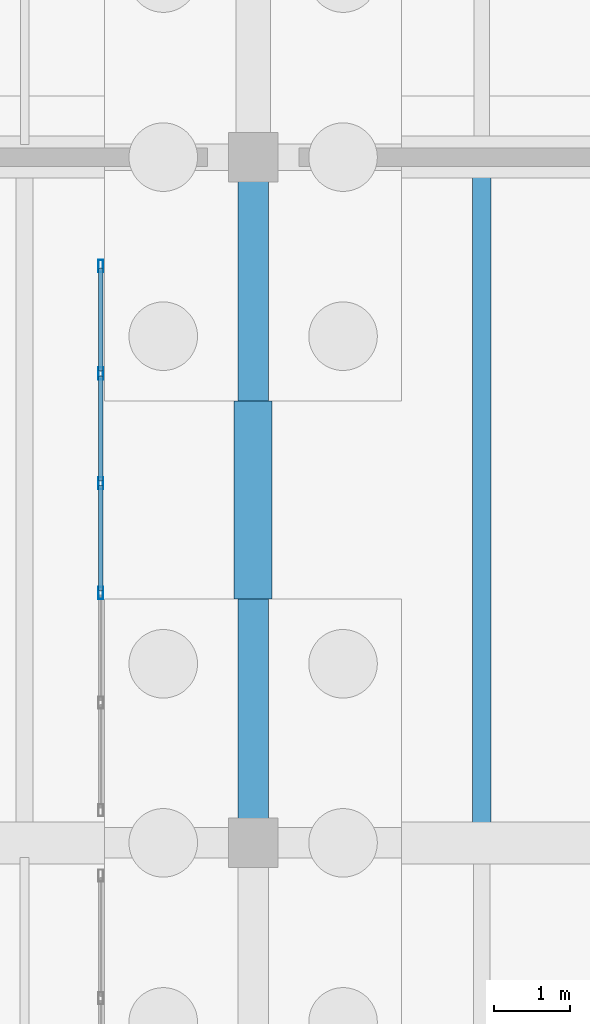
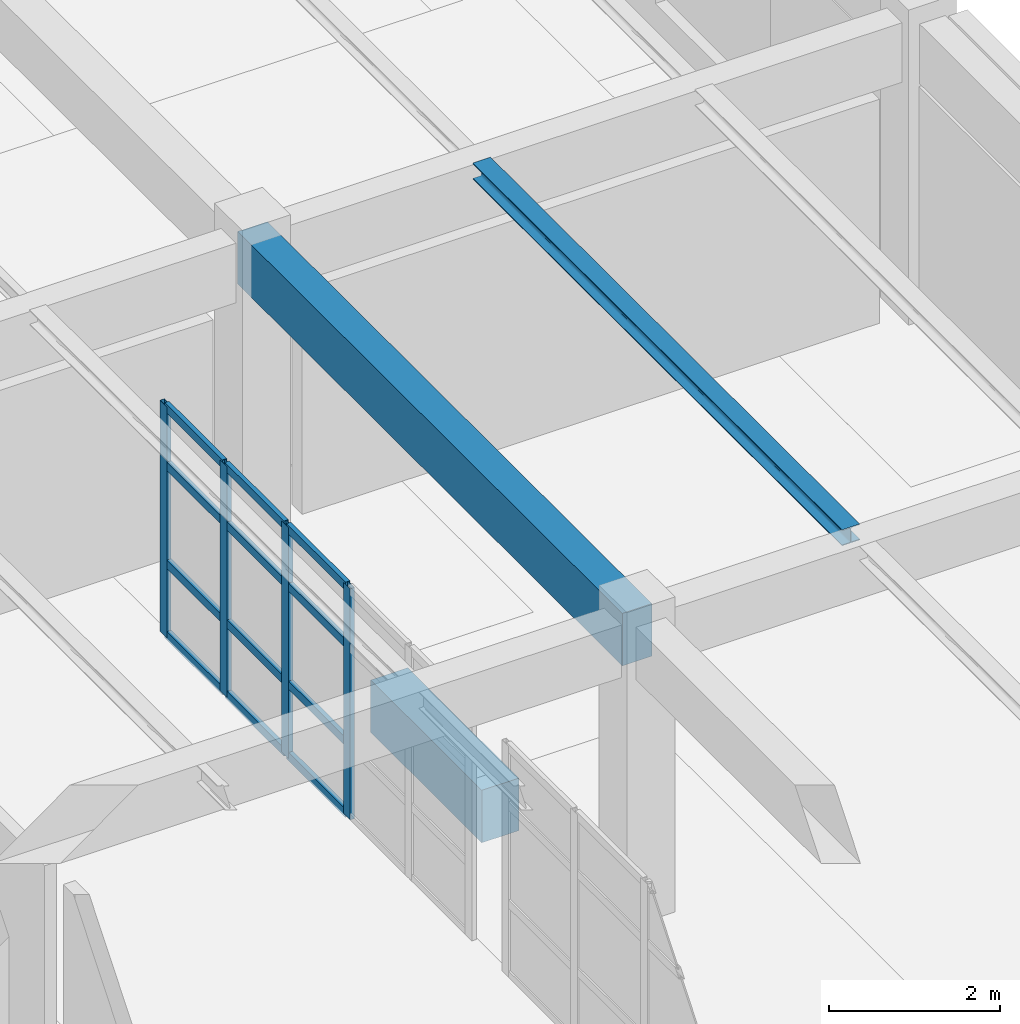
# One storey, part 121 of 186: 16 members, 3 beams, 1 element without a shape of its own.
"""IFC4 building model written with IfcOpenShell, lengths in metres."""

from ifc_helpers import new_model, si_unit, direction, frame, origin, origin_2d, place, context, subcontext, project, spatial, rectangle, hollow_rectangle, i_section, extrude, material, layer, layer_set, material_profile, profile_set, type_object, element, aggregate, save


model = new_model("IFC4")

# Units and contexts
model_context = context("Model", 3, precision=1e-05, world=origin(), true_north=direction((0.0, 1.0)))
body_context = subcontext(model_context, "Body", "Model", "MODEL_VIEW")
ifc_project = project(units=[si_unit("LENGTHUNIT", "METRE"), si_unit("AREAUNIT", "SQUARE_METRE"), si_unit("VOLUMEUNIT", "CUBIC_METRE"), si_unit("PLANEANGLEUNIT", "RADIAN"), si_unit("MASSUNIT", "GRAM", prefix="KILO")], contexts=[model_context])

# Site, building, storey
site_placement = place(None, origin())
site = spatial("IfcSite", under=ifc_project, at=site_placement, CompositionType="ELEMENT")
building_placement = place(site_placement, origin())
building = spatial("IfcBuilding", under=site, at=building_placement, Name="Ornek Quay Market", CompositionType="ELEMENT")
storey_placement = place(building_placement, origin())
storey = spatial("IfcBuildingStorey", under=building, at=storey_placement, Name="L00", CompositionType="ELEMENT", Elevation=0.0)

# Beams
ifc_material_1 = material(Name="Concrete C35/45", Category="concrete")
ifc_material_profile_1 = material_profile(ifc_material_1, rectangle(XDim=0.39990234375, YDim=0.75, at=origin_2d()), Name="RC 400x750", Category="concrete")
ifc_profile_set_1 = profile_set([ifc_material_profile_1], Name="Concrete C35/45")
beam_type_1 = type_object("IfcBeamType", Name="BM-CS-400x750", PredefinedType="BEAM", material=ifc_profile_set_1)
beam_1_placement = place(storey_placement, frame((171.0, 56.0, 3.875), z_axis=(0.0, 1.0, 0.0), x_axis=(-1.0, 0.0, 0.0)))
element("IfcBeam", 1, at=beam_1_placement, inside=storey, type_object=beam_type_1, Name="Primary beam B-CS1-027", PredefinedType="BEAM", context=body_context, shape_type="SweptSolid", body=[
    extrude(rectangle(XDim=0.39990234375, YDim=0.75, at=origin_2d()), origin(), (0.0, 0.0, 1.0), 9.0),
])
ifc_material_profile_2 = material_profile(ifc_material_1, rectangle(XDim=0.5, YDim=0.75, at=origin_2d()), Name="RC 500x750", Category="concrete")
ifc_profile_set_2 = profile_set([ifc_material_profile_2], Name="Concrete C35/45")
beam_type_2 = type_object("IfcBeamType", Name="BM-GB-500x750", PredefinedType="BEAM", material=ifc_profile_set_2)
beam_2_placement = place(storey_placement, frame((171.0, 59.199951171875, -0.574951171875), z_axis=(0.0, 1.0, 0.0), x_axis=(-1.0, 0.0, 0.0)))
element("IfcBeam", 2, at=beam_2_placement, inside=storey, type_object=beam_type_2, Name="Ground tie beam GB-415", PredefinedType="BEAM", context=body_context, shape_type="SweptSolid", body=[
    extrude(rectangle(XDim=0.5, YDim=0.75, at=origin_2d()), origin(), (0.0, 0.0, 1.0), 2.60009765625),
])
ifc_material_2 = material(Name="Steel S355", Category="steel")
ifc_material_profile_3 = material_profile(ifc_material_2, i_section(OverallWidth=0.239990234375, OverallDepth=0.22998046875, WebThickness=0.007568359375, FlangeThickness=0.011962890625, FilletRadius=0.02099609375, at=origin_2d()), Name="HEA 240", Category="steel")
ifc_profile_set_3 = profile_set([ifc_material_profile_3], Name="Steel S355")
beam_type_3 = type_object("IfcBeamType", Name="BM-STL-HEA240", PredefinedType="BEAM", material=ifc_profile_set_3)
beam_3_placement = place(storey_placement, frame((174.0, 56.19189453125, 4.135009765625), z_axis=(0.0, 1.0, 0.0), x_axis=(-1.0, 0.0, 0.0)))
element("IfcBeam", 3, at=beam_3_placement, inside=storey, type_object=beam_type_3, Name="Secondary joist SB-14-021", PredefinedType="BEAM", context=body_context, shape_type="SweptSolid", body=[
    extrude(i_section(OverallWidth=0.239990234375, OverallDepth=0.22998046875, WebThickness=0.007568359375, FlangeThickness=0.011962890625, FilletRadius=0.02099609375, at=origin_2d()), origin(), (0.0, 0.0, 1.0), 8.64111328125),
])

# Curtain wall, members
ifc_material_3 = material(Name="Anodised bronze aluminium and triple low-e glass", Category="aluminium")
ifc_layer = layer(ifc_material_3, 0.139892578125, Name="Anodised bronze aluminium and triple low-e glass", Category="aluminium")
ifc_layer_set = layer_set([ifc_layer], Name="Anodised bronze aluminium and triple low-e glass")
curtain_wall_type = type_object("IfcCurtainWallType", Name="CW-GALLERY-INT", PredefinedType="USERDEFINED", material=ifc_layer_set)
curtain_wall_placement = place(storey_placement, origin())
curtain_wall = element("IfcCurtainWall", 4, at=curtain_wall_placement, inside=storey, type_object=curtain_wall_type, Name="Curtain wall CW-162", ObjectType="CURTAIN WALL", PredefinedType="USERDEFINED")
ifc_material_4 = material(Name="Anodised aluminium 6063-T6", Category="aluminium")
ifc_material_profile_4 = material_profile(ifc_material_4, hollow_rectangle(XDim=0.06005859375, YDim=0.159912109375, WallThickness=0.00390625, at=origin_2d()), Name="CW-MUL-60x160", Category="aluminium")
ifc_profile_set_4 = profile_set([ifc_material_profile_4], Name="Anodised aluminium 6063-T6")
member_type_1 = type_object("IfcMemberType", Name="CW-MUL-60x160", PredefinedType="MULLION", material=ifc_profile_set_4)
member_1_placement = place(storey_placement, frame((169.0, 59.280029296875, 0.0), z_axis=(0.0, 0.0, 1.0), x_axis=(-1.0, 0.0, 0.0)))
member_1 = element("IfcMember", 5, at=member_1_placement, type_object=member_type_1, Name="CW-162 mullion 3", PredefinedType="MULLION", context=body_context, shape_type="SweptSolid", body=[
    extrude(hollow_rectangle(XDim=0.06005859375, YDim=0.159912109375, WallThickness=0.00390625, at=origin_2d()), origin(), (0.0, 0.0, 1.0), 3.300048828125),
])
member_2_placement = place(storey_placement, frame((169.0, 60.719970703125, 0.0), z_axis=(0.0, 0.0, 1.0), x_axis=(-1.0, 0.0, 0.0)))
member_2 = element("IfcMember", 6, at=member_2_placement, type_object=member_type_1, Name="CW-162 mullion 4", PredefinedType="MULLION", context=body_context, shape_type="SweptSolid", body=[
    extrude(hollow_rectangle(XDim=0.06005859375, YDim=0.159912109375, WallThickness=0.00390625, at=origin_2d()), origin(), (0.0, 0.0, 1.0), 3.300048828125),
])
member_3_placement = place(storey_placement, frame((169.0, 62.159912109375, 0.0), z_axis=(0.0, 0.0, 1.0), x_axis=(-1.0, 0.0, 0.0)))
member_3 = element("IfcMember", 7, at=member_3_placement, type_object=member_type_1, Name="CW-162 mullion 5", PredefinedType="MULLION", context=body_context, shape_type="SweptSolid", body=[
    extrude(hollow_rectangle(XDim=0.06005859375, YDim=0.159912109375, WallThickness=0.00390625, at=origin_2d()), origin(), (0.0, 0.0, 1.0), 3.300048828125),
])
member_4_placement = place(storey_placement, frame((169.0, 63.570068359375, 0.0), z_axis=(0.0, 0.0, 1.0), x_axis=(-1.0, 0.0, 0.0)))
member_4 = element("IfcMember", 8, at=member_4_placement, type_object=member_type_1, Name="CW-162 mullion 6", PredefinedType="MULLION", context=body_context, shape_type="SweptSolid", body=[
    extrude(hollow_rectangle(XDim=0.06005859375, YDim=0.159912109375, WallThickness=0.00390625, at=origin_2d()), origin(), (0.0, 0.0, 1.0), 3.300048828125),
])
ifc_material_profile_5 = material_profile(ifc_material_4, hollow_rectangle(XDim=0.06005859375, YDim=0.1201171875, WallThickness=0.00390625, at=origin_2d()), Name="CW-TRN-60x120", Category="aluminium")
ifc_profile_set_5 = profile_set([ifc_material_profile_5], Name="Anodised aluminium 6063-T6")
member_type_2 = type_object("IfcMemberType", Name="CW-TRN-60x120", PredefinedType="USERDEFINED", material=ifc_profile_set_5)
member_5_placement = place(storey_placement, frame((169.0, 59.31005859375, 0.030029296875), z_axis=(0.0, 1.0, 0.0), x_axis=(-1.0, 0.0, 0.0)))
member_5 = element("IfcMember", 9, at=member_5_placement, type_object=member_type_2, Name="CW-162 transom 3.1", ObjectType="TRANSOM", PredefinedType="USERDEFINED", context=body_context, shape_type="SweptSolid", body=[
    extrude(hollow_rectangle(XDim=0.06005859375, YDim=0.1201171875, WallThickness=0.00390625, at=origin_2d()), origin(), (0.0, 0.0, 1.0), 1.3798828125),
])
member_6_placement = place(storey_placement, frame((169.0, 59.31005859375, 1.050048828125), z_axis=(0.0, 1.0, 0.0), x_axis=(-1.0, 0.0, 0.0)))
member_6 = element("IfcMember", 10, at=member_6_placement, type_object=member_type_2, Name="CW-162 transom 3.2", ObjectType="TRANSOM", PredefinedType="USERDEFINED", context=body_context, shape_type="SweptSolid", body=[
    extrude(hollow_rectangle(XDim=0.06005859375, YDim=0.1201171875, WallThickness=0.00390625, at=origin_2d()), origin(), (0.0, 0.0, 1.0), 1.3798828125),
])
member_7_placement = place(storey_placement, frame((169.0, 59.31005859375, 2.449951171875), z_axis=(0.0, 1.0, 0.0), x_axis=(-1.0, 0.0, 0.0)))
member_7 = element("IfcMember", 11, at=member_7_placement, type_object=member_type_2, Name="CW-162 transom 3.3", ObjectType="TRANSOM", PredefinedType="USERDEFINED", context=body_context, shape_type="SweptSolid", body=[
    extrude(hollow_rectangle(XDim=0.06005859375, YDim=0.1201171875, WallThickness=0.00390625, at=origin_2d()), origin(), (0.0, 0.0, 1.0), 1.3798828125),
])
member_8_placement = place(storey_placement, frame((169.0, 59.31005859375, 3.27001953125), z_axis=(0.0, 1.0, 0.0), x_axis=(-1.0, 0.0, 0.0)))
member_8 = element("IfcMember", 12, at=member_8_placement, type_object=member_type_2, Name="CW-162 transom 3.4", ObjectType="TRANSOM", PredefinedType="USERDEFINED", context=body_context, shape_type="SweptSolid", body=[
    extrude(hollow_rectangle(XDim=0.06005859375, YDim=0.1201171875, WallThickness=0.00390625, at=origin_2d()), origin(), (0.0, 0.0, 1.0), 1.3798828125),
])
member_9_placement = place(storey_placement, frame((169.0, 60.75, 0.030029296875), z_axis=(0.0, 1.0, 0.0), x_axis=(-1.0, 0.0, 0.0)))
member_9 = element("IfcMember", 13, at=member_9_placement, type_object=member_type_2, Name="CW-162 transom 4.1", ObjectType="TRANSOM", PredefinedType="USERDEFINED", context=body_context, shape_type="SweptSolid", body=[
    extrude(hollow_rectangle(XDim=0.06005859375, YDim=0.1201171875, WallThickness=0.00390625, at=origin_2d()), origin(), (0.0, 0.0, 1.0), 1.3798828125),
])
member_10_placement = place(storey_placement, frame((169.0, 60.75, 1.050048828125), z_axis=(0.0, 1.0, 0.0), x_axis=(-1.0, 0.0, 0.0)))
member_10 = element("IfcMember", 14, at=member_10_placement, type_object=member_type_2, Name="CW-162 transom 4.2", ObjectType="TRANSOM", PredefinedType="USERDEFINED", context=body_context, shape_type="SweptSolid", body=[
    extrude(hollow_rectangle(XDim=0.06005859375, YDim=0.1201171875, WallThickness=0.00390625, at=origin_2d()), origin(), (0.0, 0.0, 1.0), 1.3798828125),
])
member_11_placement = place(storey_placement, frame((169.0, 60.75, 2.449951171875), z_axis=(0.0, 1.0, 0.0), x_axis=(-1.0, 0.0, 0.0)))
member_11 = element("IfcMember", 15, at=member_11_placement, type_object=member_type_2, Name="CW-162 transom 4.3", ObjectType="TRANSOM", PredefinedType="USERDEFINED", context=body_context, shape_type="SweptSolid", body=[
    extrude(hollow_rectangle(XDim=0.06005859375, YDim=0.1201171875, WallThickness=0.00390625, at=origin_2d()), origin(), (0.0, 0.0, 1.0), 1.3798828125),
])
member_12_placement = place(storey_placement, frame((169.0, 60.75, 3.27001953125), z_axis=(0.0, 1.0, 0.0), x_axis=(-1.0, 0.0, 0.0)))
member_12 = element("IfcMember", 16, at=member_12_placement, type_object=member_type_2, Name="CW-162 transom 4.4", ObjectType="TRANSOM", PredefinedType="USERDEFINED", context=body_context, shape_type="SweptSolid", body=[
    extrude(hollow_rectangle(XDim=0.06005859375, YDim=0.1201171875, WallThickness=0.00390625, at=origin_2d()), origin(), (0.0, 0.0, 1.0), 1.3798828125),
])
member_13_placement = place(storey_placement, frame((169.0, 62.18994140625, 0.030029296875), z_axis=(0.0, 1.0, 0.0), x_axis=(-1.0, 0.0, 0.0)))
member_13 = element("IfcMember", 17, at=member_13_placement, type_object=member_type_2, Name="CW-162 transom 5.1", ObjectType="TRANSOM", PredefinedType="USERDEFINED", context=body_context, shape_type="SweptSolid", body=[
    extrude(hollow_rectangle(XDim=0.06005859375, YDim=0.1201171875, WallThickness=0.00390625, at=origin_2d()), origin(), (0.0, 0.0, 1.0), 1.35009765625),
])
member_14_placement = place(storey_placement, frame((169.0, 62.18994140625, 1.050048828125), z_axis=(0.0, 1.0, 0.0), x_axis=(-1.0, 0.0, 0.0)))
member_14 = element("IfcMember", 18, at=member_14_placement, type_object=member_type_2, Name="CW-162 transom 5.2", ObjectType="TRANSOM", PredefinedType="USERDEFINED", context=body_context, shape_type="SweptSolid", body=[
    extrude(hollow_rectangle(XDim=0.06005859375, YDim=0.1201171875, WallThickness=0.00390625, at=origin_2d()), origin(), (0.0, 0.0, 1.0), 1.35009765625),
])
member_15_placement = place(storey_placement, frame((169.0, 62.18994140625, 2.449951171875), z_axis=(0.0, 1.0, 0.0), x_axis=(-1.0, 0.0, 0.0)))
member_15 = element("IfcMember", 19, at=member_15_placement, type_object=member_type_2, Name="CW-162 transom 5.3", ObjectType="TRANSOM", PredefinedType="USERDEFINED", context=body_context, shape_type="SweptSolid", body=[
    extrude(hollow_rectangle(XDim=0.06005859375, YDim=0.1201171875, WallThickness=0.00390625, at=origin_2d()), origin(), (0.0, 0.0, 1.0), 1.35009765625),
])
member_16_placement = place(storey_placement, frame((169.0, 62.18994140625, 3.27001953125), z_axis=(0.0, 1.0, 0.0), x_axis=(-1.0, 0.0, 0.0)))
member_16 = element("IfcMember", 20, at=member_16_placement, type_object=member_type_2, Name="CW-162 transom 5.4", ObjectType="TRANSOM", PredefinedType="USERDEFINED", context=body_context, shape_type="SweptSolid", body=[
    extrude(hollow_rectangle(XDim=0.06005859375, YDim=0.1201171875, WallThickness=0.00390625, at=origin_2d()), origin(), (0.0, 0.0, 1.0), 1.35009765625),
])
aggregate(curtain_wall, [member_1, member_2, member_3, member_4, member_5, member_6, member_7, member_8, member_9, member_10, member_11, member_12, member_13, member_14, member_15, member_16])

save(model, "model.ifc")
